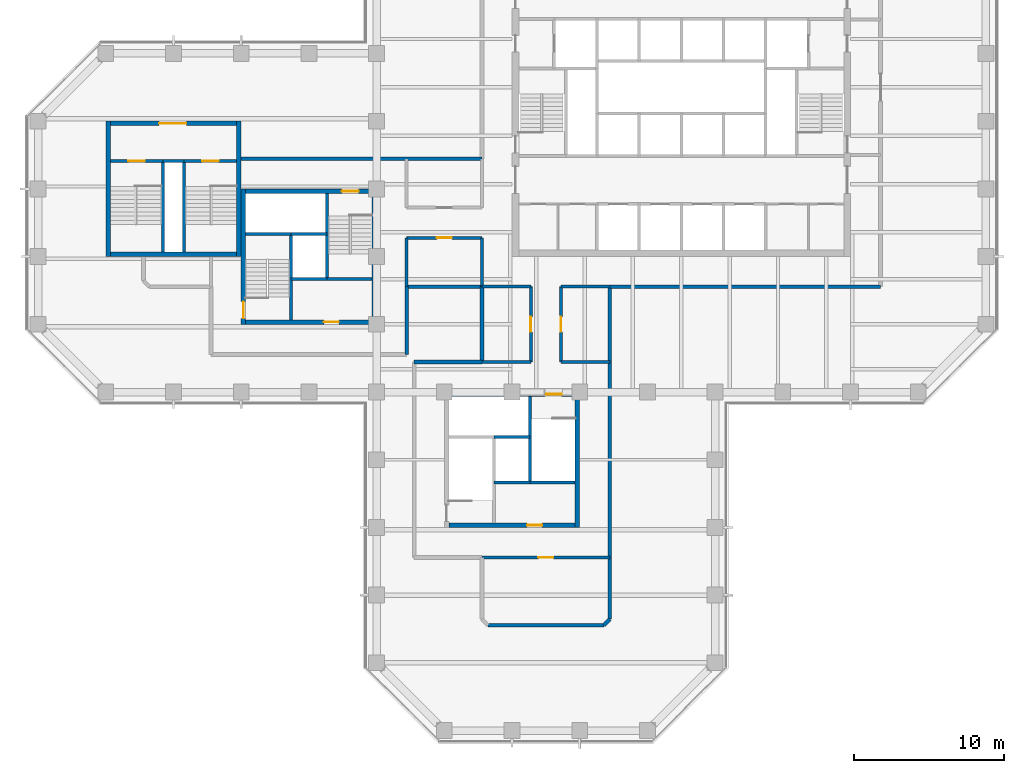
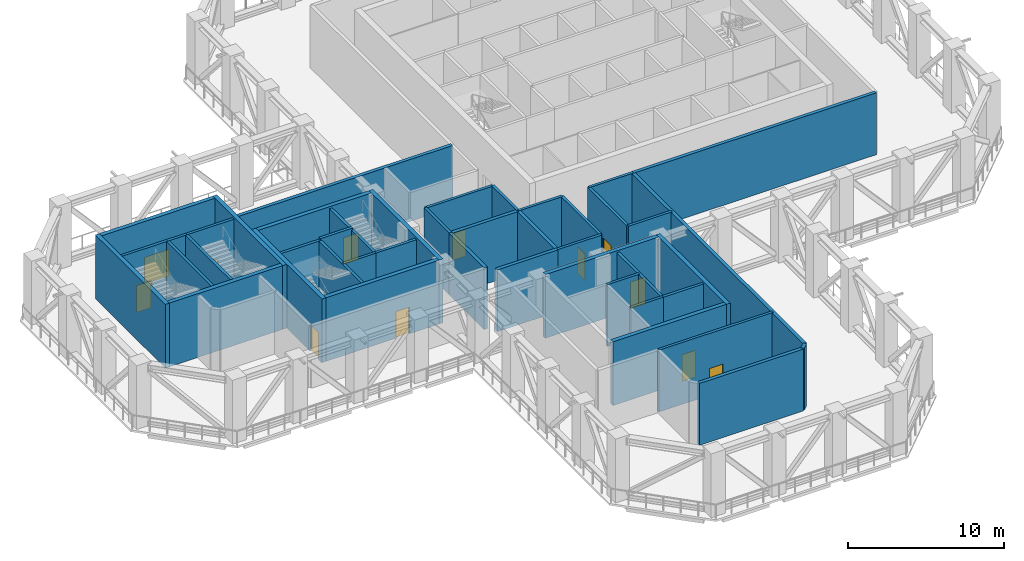
# One storey, part 5 of 14: 45 walls, 12 doors, 12 openings.
"""IFC4 building model written with IfcOpenShell, lengths in metres."""

from ifc_helpers import new_model, si_unit, direction, frame, frame_2d, origin, place, context, subcontext, project, spatial, rectangle, extrude, material, layer, layer_set, type_object, element, fill, save


model = new_model("IFC4")

# Units and contexts
model_context = context("Model", 3, precision=1e-05, world=origin(), true_north=direction((0.0, 1.0)))
body_context = subcontext(model_context, "Body", "Model", "MODEL_VIEW")
ifc_project = project(units=[si_unit("LENGTHUNIT", "METRE"), si_unit("AREAUNIT", "SQUARE_METRE"), si_unit("VOLUMEUNIT", "CUBIC_METRE"), si_unit("PLANEANGLEUNIT", "RADIAN"), si_unit("MASSUNIT", "GRAM", prefix="KILO")], contexts=[model_context])

# Site, building, storey
site_placement = place(None, origin())
site = spatial("IfcSite", under=ifc_project, at=site_placement, CompositionType="ELEMENT")
building_placement = place(site_placement, origin())
building = spatial("IfcBuilding", under=site, at=building_placement, Name="Quoin Convention Tower", CompositionType="ELEMENT")
storey_placement = place(building_placement, frame((0.0, 0.0, 138.10009765625)))
storey = spatial("IfcBuildingStorey", under=building, at=storey_placement, Name="L36", CompositionType="ELEMENT", Elevation=138.10009765625)

# Walls
ifc_material_1 = material(Name="Concrete C50", Category="concrete")
ifc_layer_1 = layer(ifc_material_1, 0.199951171875)
ifc_layer_set_1 = layer_set([ifc_layer_1], Name="Concrete C50")
wall_type_1 = type_object("IfcWallType", Name="Core shaft wall", PredefinedType="SOLIDWALL", material=ifc_layer_set_1)
wall_1_placement = place(storey_placement, frame((30.300048828125, 48.0, 0.0), z_axis=(0.0, 0.0, 1.0), x_axis=(1.0, 0.0, 0.0)))
element("IfcWall", 1, at=wall_1_placement, inside=storey, type_object=wall_type_1, Name="cr-P2-L36-h3000_3300", PredefinedType="SOLIDWALL", context=body_context, shape_type="SweptSolid", body=[
    extrude(rectangle(XDim=2.39990234375, YDim=0.199951171875, at=frame_2d((1.199951171875, 0.0))), origin(), (0.0, 0.0, 1.0), 4.849853515625),
])
for number, where, z_axis, x_axis, name in (
    (2, (32.699951171875, 48.0, 0.0), (0.0, 0.0, 1.0), (1.0, 0.0, 0.0), "cr-P2-L36-h3000_5700"),
    (3, (27.300048828125, 51.0, 0.0), (0.0, 0.0, 1.0), (1.0, 0.0, 0.0), "cr-P2-L36-h6000_300"),
):
    element("IfcWall", number, at=place(storey_placement, frame(where, z_axis=z_axis, x_axis=x_axis)), inside=storey, type_object=wall_type_1, Name=name, PredefinedType="SOLIDWALL", context=body_context, shape_type="SweptSolid", body=[
        extrude(rectangle(XDim=3.0, YDim=0.199951171875, at=frame_2d((1.5, 0.0))), origin(), (0.0, 0.0, 1.0), 4.849853515625),
    ])
for number, where, z_axis, x_axis, name in (
    (4, (30.300048828125, 45.300048828125, 0.0), (0.0, 0.0, 1.0), (0.0, 1.0, 0.0), "cr-P2-L36-v3300_300"),
    (5, (32.699951171875, 48.0, 0.0), (0.0, 0.0, 1.0), (0.0, 1.0, 0.0), "cr-P2-L36-v5700_3000"),
):
    element("IfcWall", number, at=place(storey_placement, frame(where, z_axis=z_axis, x_axis=x_axis)), inside=storey, type_object=wall_type_1, Name=name, PredefinedType="SOLIDWALL", context=body_context, shape_type="SweptSolid", body=[
        extrude(rectangle(XDim=5.699951171875, YDim=0.199951171875, at=frame_2d((2.85009765625, 0.0))), origin(), (0.0, 0.0, 1.0), 4.849853515625),
    ])
wall_2_placement = place(storey_placement, frame((43.800048828125, 34.5, 0.0), z_axis=(0.0, 0.0, 1.0), x_axis=(1.0, 0.0, 0.0)))
element("IfcWall", 6, at=wall_2_placement, inside=storey, type_object=wall_type_1, Name="cr-P3-L36-h3000_3300", PredefinedType="SOLIDWALL", context=body_context, shape_type="SweptSolid", body=[
    extrude(rectangle(XDim=2.39990234375, YDim=0.199951171875, at=frame_2d((1.199951171875, 0.0))), origin(), (0.0, 0.0, 1.0), 4.849853515625),
])
wall_3_placement = place(storey_placement, frame((46.199951171875, 34.5, 0.0), z_axis=(0.0, 0.0, 1.0), x_axis=(1.0, 0.0, 0.0)))
element("IfcWall", 7, at=wall_3_placement, inside=storey, type_object=wall_type_1, Name="cr-P3-L36-h3000_5700", PredefinedType="SOLIDWALL", context=body_context, shape_type="SweptSolid", body=[
    extrude(rectangle(XDim=3.0, YDim=0.199951171875, at=frame_2d((1.5, 0.0))), origin(), (0.0, 0.0, 1.0), 4.849853515625),
])
wall_4_placement = place(storey_placement, frame((43.800048828125, 37.5, 0.0), z_axis=(0.0, 0.0, 1.0), x_axis=(1.0, 0.0, 0.0)))
element("IfcWall", 8, at=wall_4_placement, inside=storey, type_object=wall_type_1, Name="cr-P3-L36-h6000_3300", PredefinedType="SOLIDWALL", context=body_context, shape_type="SweptSolid", body=[
    extrude(rectangle(XDim=2.39990234375, YDim=0.199951171875, at=frame_2d((1.199951171875, 0.0))), origin(), (0.0, 0.0, 1.0), 4.849853515625),
])
wall_5_placement = place(storey_placement, frame((46.199951171875, 34.5, 0.0), z_axis=(0.0, 0.0, 1.0), x_axis=(0.0, 1.0, 0.0)))
element("IfcWall", 9, at=wall_5_placement, inside=storey, type_object=wall_type_1, Name="cr-P3-L36-v5700_3000", PredefinedType="SOLIDWALL", context=body_context, shape_type="SweptSolid", body=[
    extrude(rectangle(XDim=5.699951171875, YDim=0.199951171875, at=frame_2d((2.85009765625, 0.0))), origin(), (0.0, 0.0, 1.0), 4.849853515625),
])
wall_6_placement = place(storey_placement, frame((21.800048828125, 55.85009765625, 0.0), z_axis=(0.0, 0.0, 1.0), x_axis=(1.0, 0.0, 0.0)))
element("IfcWall", 10, at=wall_6_placement, inside=storey, type_object=wall_type_1, Name="cr-P6-L36-h6350_3800", PredefinedType="SOLIDWALL", context=body_context, shape_type="SweptSolid", body=[
    extrude(rectangle(XDim=1.39990234375, YDim=0.199951171875, at=frame_2d((0.699951171875, 0.0))), origin(), (0.0, 0.0, 1.0), 4.849853515625),
])

# Wall, opening, door
wall_7_placement = place(storey_placement, frame((18.300048828125, 55.85009765625, 0.0), z_axis=(0.0, 0.0, 1.0), x_axis=(1.0, 0.0, 0.0)))
wall_7 = element("IfcWall", 11, at=wall_7_placement, inside=storey, type_object=wall_type_1, Name="cr-P6-L36-h6350_300", PredefinedType="SOLIDWALL", context=body_context, shape_type="SweptSolid", body=[
    extrude(rectangle(XDim=3.5, YDim=0.199951171875, at=frame_2d((1.75, 0.0))), origin(), (0.0, 0.0, 1.0), 4.849853515625),
])
opening_1_placement = place(wall_7_placement, frame((1.199951171875, 0.0, 0.0)))
opening_1 = element("IfcOpeningElement", 12, at=opening_1_placement, cuts=wall_7, Name="Opening SD11", PredefinedType="OPENING", context=body_context, shape_type="SweptSolid", body=[
    extrude(rectangle(XDim=1.10009765625, YDim=2.10009765625, at=frame_2d((0.550048828125, 1.050048828125))), frame((0.0, 0.10986328125, 0.0), z_axis=(0.0, -1.0, 0.0), x_axis=(1.0, 0.0, 0.0)), (0.0, 0.0, 1.0), 0.219970703125),
])
ifc_material_2 = material(Name="Steel door leaf", Category="steel")
door_type_1 = type_object("IfcDoorType", Name="Stair door 1100 x 2100", OperationType="SINGLE_SWING_RIGHT", PredefinedType="DOOR", material=ifc_material_2)
door_1_placement = place(opening_1_placement, origin())
door_1 = element("IfcDoor", 13, at=door_1_placement, inside=storey, type_object=door_type_1, Name="cd-P6-L36-SA-R2-SD11", OperationType="SINGLE_SWING_RIGHT", OverallHeight=2.10009765625, OverallWidth=1.10009765625, PredefinedType="DOOR", context=body_context, shape_type="SweptSolid", body=[
    extrude(rectangle(XDim=1.10009765625, YDim=2.10009765625, at=frame_2d((0.550048828125, 1.050048828125))), frame((0.0, 0.02490234375, 0.0), z_axis=(0.0, -1.0, 0.0), x_axis=(1.0, 0.0, 0.0)), (0.0, 0.0, 1.0), 0.050048828125),
])
fill(opening_1, door_1)

wall_8_placement = place(storey_placement, frame((23.199951171875, 55.85009765625, 0.0), z_axis=(0.0, 0.0, 1.0), x_axis=(1.0, 0.0, 0.0)))
wall_8 = element("IfcWall", 14, at=wall_8_placement, inside=storey, type_object=wall_type_1, Name="cr-P6-L36-h6350_5200", PredefinedType="SOLIDWALL", context=body_context, shape_type="SweptSolid", body=[
    extrude(rectangle(XDim=3.5, YDim=0.199951171875, at=frame_2d((1.75, 0.0))), origin(), (0.0, 0.0, 1.0), 4.849853515625),
])
opening_2_placement = place(wall_8_placement, frame((1.199951171875, 0.0, 0.0)))
opening_2 = element("IfcOpeningElement", 15, at=opening_2_placement, cuts=wall_8, Name="Opening SD12", PredefinedType="OPENING", context=body_context, shape_type="SweptSolid", body=[
    extrude(rectangle(XDim=1.10009765625, YDim=2.10009765625, at=frame_2d((0.550048828125, 1.050048828125))), frame((0.0, 0.10986328125, 0.0), z_axis=(0.0, -1.0, 0.0), x_axis=(1.0, 0.0, 0.0)), (0.0, 0.0, 1.0), 0.219970703125),
])
door_2_placement = place(opening_2_placement, origin())
door_2 = element("IfcDoor", 16, at=door_2_placement, inside=storey, type_object=door_type_1, Name="cd-P6-L36-SB-R2-SD12", OperationType="SINGLE_SWING_RIGHT", OverallHeight=2.10009765625, OverallWidth=1.10009765625, PredefinedType="DOOR", context=body_context, shape_type="SweptSolid", body=[
    extrude(rectangle(XDim=1.10009765625, YDim=2.10009765625, at=frame_2d((0.550048828125, 1.050048828125))), frame((0.0, 0.02490234375, 0.0), z_axis=(0.0, -1.0, 0.0), x_axis=(1.0, 0.0, 0.0)), (0.0, 0.0, 1.0), 0.050048828125),
])
fill(opening_2, door_2)

# Walls
for number, where, z_axis, x_axis, name in (
    (17, (21.800048828125, 49.800048828125, 0.0), (0.0, 0.0, 1.0), (0.0, 1.0, 0.0), "cr-P6-L36-v3800_300"),
    (18, (23.199951171875, 49.800048828125, 0.0), (0.0, 0.0, 1.0), (0.0, 1.0, 0.0), "cr-P6-L36-v5200_300"),
):
    element("IfcWall", number, at=place(storey_placement, frame(where, z_axis=z_axis, x_axis=x_axis)), inside=storey, type_object=wall_type_1, Name=name, PredefinedType="SOLIDWALL", context=body_context, shape_type="SweptSolid", body=[
        extrude(rectangle(XDim=6.050048828125, YDim=0.199951171875, at=frame_2d((3.02490234375, 0.0))), origin(), (0.0, 0.0, 1.0), 4.849853515625),
    ])
ifc_layer_2 = layer(ifc_material_1, 0.199951171875)
ifc_layer_set_2 = layer_set([ifc_layer_2], Name="Concrete C50")
wall_type_2 = type_object("IfcWallType", Name="Core shaft wall to the floor level over", PredefinedType="SOLIDWALL", material=ifc_layer_set_2)
wall_9_placement = place(storey_placement, frame((30.300048828125, 51.0, 0.0), z_axis=(0.0, 0.0, 1.0), x_axis=(1.0, 0.0, 0.0)))
element("IfcWall", 19, at=wall_9_placement, inside=storey, type_object=wall_type_2, Name="cr-P2-L36-h6000_3300", PredefinedType="SOLIDWALL", context=body_context, shape_type="SweptSolid", body=[
    extrude(rectangle(XDim=2.39990234375, YDim=0.199951171875, at=frame_2d((1.199951171875, 0.0))), origin(), (0.0, 0.0, 1.0), 5.0),
])

# Wall, opening, door
ifc_material_3 = material(Name="Concrete C65", Category="concrete")
ifc_layer_3 = layer(ifc_material_3, 0.300048828125)
ifc_layer_set_3 = layer_set([ifc_layer_3], Name="Concrete C65")
wall_type_3 = type_object("IfcWallType", Name="RC CORE WALL 300 C65", PredefinedType="SHEAR", material=ifc_layer_set_3)
wall_10_placement = place(storey_placement, frame((27.300048828125, 45.14990234375, 0.0), z_axis=(0.0, 0.0, 1.0), x_axis=(1.0, 0.0, 0.0)))
wall_10 = element("IfcWall", 20, at=wall_10_placement, inside=storey, type_object=wall_type_3, Name="cwl-P2-L36-S", PredefinedType="SHEAR", context=body_context, shape_type="SweptSolid", body=[
    extrude(rectangle(XDim=8.39990234375, YDim=0.300048828125, at=frame_2d((4.199951171875, 0.0))), origin(), (0.0, 0.0, 1.0), 5.0),
])
opening_3_placement = place(wall_10_placement, frame((5.199951171875, 0.0, 0.0)))
opening_3 = element("IfcOpeningElement", 21, at=opening_3_placement, cuts=wall_10, Name="Opening DCV0-60", PredefinedType="OPENING", context=body_context, shape_type="SweptSolid", body=[
    extrude(rectangle(XDim=1.0, YDim=2.10009765625, at=frame_2d((0.5, 1.050048828125))), frame((0.0, 0.159912109375, 0.0), z_axis=(0.0, -1.0, 0.0), x_axis=(1.0, 0.0, 0.0)), (0.0, 0.0, 1.0), 0.320068359375),
])
door_type_2 = type_object("IfcDoorType", Name="Service door 1000 x 2100", OperationType="SINGLE_SWING_LEFT", PredefinedType="DOOR", material=ifc_material_2)
door_3_placement = place(opening_3_placement, origin())
door_3 = element("IfcDoor", 22, at=door_3_placement, inside=storey, type_object=door_type_2, Name="cd-P2-L36-R2-S", OperationType="SINGLE_SWING_LEFT", OverallHeight=2.10009765625, OverallWidth=1.0, PredefinedType="DOOR", context=body_context, shape_type="SweptSolid", body=[
    extrude(rectangle(XDim=1.0, YDim=2.10009765625, at=frame_2d((0.5, 1.050048828125))), frame((0.0, 0.02490234375, 0.0), z_axis=(0.0, -1.0, 0.0), x_axis=(1.0, 0.0, 0.0)), (0.0, 0.0, 1.0), 0.050048828125),
])
fill(opening_3, door_3)

wall_11_placement = place(storey_placement, frame((27.300048828125, 53.85009765625, 0.0), z_axis=(0.0, 0.0, 1.0), x_axis=(1.0, 0.0, 0.0)))
wall_11 = element("IfcWall", 23, at=wall_11_placement, inside=storey, type_object=wall_type_3, Name="cwl-P2-L36-N", PredefinedType="SHEAR", context=body_context, shape_type="SweptSolid", body=[
    extrude(rectangle(XDim=8.39990234375, YDim=0.300048828125, at=frame_2d((4.199951171875, 0.0))), origin(), (0.0, 0.0, 1.0), 5.0),
])
opening_4_placement = place(wall_11_placement, frame((6.39990234375, 0.0, 0.0)))
opening_4 = element("IfcOpeningElement", 24, at=opening_4_placement, cuts=wall_11, Name="Opening SD4", PredefinedType="OPENING", context=body_context, shape_type="SweptSolid", body=[
    extrude(rectangle(XDim=1.10009765625, YDim=2.10009765625, at=frame_2d((0.550048828125, 1.050048828125))), frame((0.0, 0.159912109375, 0.0), z_axis=(0.0, -1.0, 0.0), x_axis=(1.0, 0.0, 0.0)), (0.0, 0.0, 1.0), 0.320068359375),
])
door_4_placement = place(opening_4_placement, frame((1.10009765625, 0.0, 0.0), z_axis=(0.0, 0.0, 1.0), x_axis=(-1.0, 0.0, 0.0)))
door_4 = element("IfcDoor", 25, at=door_4_placement, inside=storey, type_object=door_type_1, Name="cd-P2-L36-SB-N", OperationType="SINGLE_SWING_LEFT", OverallHeight=2.10009765625, OverallWidth=1.10009765625, PredefinedType="DOOR", context=body_context, shape_type="SweptSolid", body=[
    extrude(rectangle(XDim=1.10009765625, YDim=2.10009765625, at=frame_2d((0.550048828125, 1.050048828125))), frame((0.0, 0.02490234375, 0.0), z_axis=(0.0, -1.0, 0.0), x_axis=(1.0, 0.0, 0.0)), (0.0, 0.0, 1.0), 0.050048828125),
])
fill(opening_4, door_4)

wall_12_placement = place(storey_placement, frame((27.14990234375, 45.0, 0.0), z_axis=(0.0, 0.0, 1.0), x_axis=(0.0, 1.0, 0.0)))
wall_12 = element("IfcWall", 26, at=wall_12_placement, inside=storey, type_object=wall_type_3, Name="cwl-P2-L36-W", PredefinedType="SHEAR", context=body_context, shape_type="SweptSolid", body=[
    extrude(rectangle(XDim=9.0, YDim=0.300048828125, at=frame_2d((4.5, 0.0))), origin(), (0.0, 0.0, 1.0), 5.0),
])
opening_5_placement = place(wall_12_placement, frame((0.39990234375, 0.0, 0.0)))
opening_5 = element("IfcOpeningElement", 27, at=opening_5_placement, cuts=wall_12, Name="Opening SD3", PredefinedType="OPENING", context=body_context, shape_type="SweptSolid", body=[
    extrude(rectangle(XDim=1.10009765625, YDim=2.10009765625, at=frame_2d((0.550048828125, 1.050048828125))), frame((0.0, 0.159912109375, 0.0), z_axis=(0.0, -1.0, 0.0), x_axis=(1.0, 0.0, 0.0)), (0.0, 0.0, 1.0), 0.320068359375),
])
door_5_placement = place(opening_5_placement, frame((1.10009765625, 0.0, 0.0), z_axis=(0.0, 0.0, 1.0), x_axis=(-1.0, 0.0, 0.0)))
door_5 = element("IfcDoor", 28, at=door_5_placement, inside=storey, type_object=door_type_1, Name="cd-P2-L36-SA-W", OperationType="SINGLE_SWING_RIGHT", OverallHeight=2.10009765625, OverallWidth=1.10009765625, PredefinedType="DOOR", context=body_context, shape_type="SweptSolid", body=[
    extrude(rectangle(XDim=1.10009765625, YDim=2.10009765625, at=frame_2d((0.550048828125, 1.050048828125))), frame((0.0, 0.02490234375, 0.0), z_axis=(0.0, -1.0, 0.0), x_axis=(1.0, 0.0, 0.0)), (0.0, 0.0, 1.0), 0.050048828125),
])
fill(opening_5, door_5)

# Wall
wall_13_placement = place(storey_placement, frame((35.85009765625, 45.0, 0.0), z_axis=(0.0, 0.0, 1.0), x_axis=(0.0, 1.0, 0.0)))
element("IfcWall", 29, at=wall_13_placement, inside=storey, type_object=wall_type_3, Name="cwl-P2-L36-E", PredefinedType="SHEAR", context=body_context, shape_type="SweptSolid", body=[
    extrude(rectangle(XDim=9.0, YDim=0.300048828125, at=frame_2d((4.5, 0.0))), origin(), (0.0, 0.0, 1.0), 5.0),
])

# Wall, opening, door
wall_14_placement = place(storey_placement, frame((40.800048828125, 31.64990234375, 0.0), z_axis=(0.0, 0.0, 1.0), x_axis=(1.0, 0.0, 0.0)))
wall_14 = element("IfcWall", 30, at=wall_14_placement, inside=storey, type_object=wall_type_3, Name="cwl-P3-L36-S", PredefinedType="SHEAR", context=body_context, shape_type="SweptSolid", body=[
    extrude(rectangle(XDim=8.39990234375, YDim=0.300048828125, at=frame_2d((4.199951171875, 0.0))), origin(), (0.0, 0.0, 1.0), 5.0),
])
opening_6_placement = place(wall_14_placement, frame((5.199951171875, 0.0, 0.0)))
opening_6 = element("IfcOpeningElement", 31, at=opening_6_placement, cuts=wall_14, Name="Opening DCV0-61", PredefinedType="OPENING", context=body_context, shape_type="SweptSolid", body=[
    extrude(rectangle(XDim=1.0, YDim=2.10009765625, at=frame_2d((0.5, 1.050048828125))), frame((0.0, 0.159912109375, 0.0), z_axis=(0.0, -1.0, 0.0), x_axis=(1.0, 0.0, 0.0)), (0.0, 0.0, 1.0), 0.320068359375),
])
door_6_placement = place(opening_6_placement, origin())
door_6 = element("IfcDoor", 32, at=door_6_placement, inside=storey, type_object=door_type_2, Name="cd-P3-L36-R2-S", OperationType="SINGLE_SWING_LEFT", OverallHeight=2.10009765625, OverallWidth=1.0, PredefinedType="DOOR", context=body_context, shape_type="SweptSolid", body=[
    extrude(rectangle(XDim=1.0, YDim=2.10009765625, at=frame_2d((0.5, 1.050048828125))), frame((0.0, 0.02490234375, 0.0), z_axis=(0.0, -1.0, 0.0), x_axis=(1.0, 0.0, 0.0)), (0.0, 0.0, 1.0), 0.050048828125),
])
fill(opening_6, door_6)

wall_15_placement = place(storey_placement, frame((40.800048828125, 40.35009765625, 0.0), z_axis=(0.0, 0.0, 1.0), x_axis=(1.0, 0.0, 0.0)))
wall_15 = element("IfcWall", 33, at=wall_15_placement, inside=storey, type_object=wall_type_3, Name="cwl-P3-L36-N", PredefinedType="SHEAR", context=body_context, shape_type="SweptSolid", body=[
    extrude(rectangle(XDim=8.39990234375, YDim=0.300048828125, at=frame_2d((4.199951171875, 0.0))), origin(), (0.0, 0.0, 1.0), 5.0),
])
opening_7_placement = place(wall_15_placement, frame((6.39990234375, 0.0, 0.0)))
opening_7 = element("IfcOpeningElement", 34, at=opening_7_placement, cuts=wall_15, Name="Opening SD6", PredefinedType="OPENING", context=body_context, shape_type="SweptSolid", body=[
    extrude(rectangle(XDim=1.10009765625, YDim=2.10009765625, at=frame_2d((0.550048828125, 1.050048828125))), frame((0.0, 0.159912109375, 0.0), z_axis=(0.0, -1.0, 0.0), x_axis=(1.0, 0.0, 0.0)), (0.0, 0.0, 1.0), 0.320068359375),
])
door_7_placement = place(opening_7_placement, frame((1.10009765625, 0.0, 0.0), z_axis=(0.0, 0.0, 1.0), x_axis=(-1.0, 0.0, 0.0)))
door_7 = element("IfcDoor", 35, at=door_7_placement, inside=storey, type_object=door_type_1, Name="cd-P3-L36-SB-N", OperationType="SINGLE_SWING_LEFT", OverallHeight=2.10009765625, OverallWidth=1.10009765625, PredefinedType="DOOR", context=body_context, shape_type="SweptSolid", body=[
    extrude(rectangle(XDim=1.10009765625, YDim=2.10009765625, at=frame_2d((0.550048828125, 1.050048828125))), frame((0.0, 0.02490234375, 0.0), z_axis=(0.0, -1.0, 0.0), x_axis=(1.0, 0.0, 0.0)), (0.0, 0.0, 1.0), 0.050048828125),
])
fill(opening_7, door_7)

# Walls
wall_16_placement = place(storey_placement, frame((49.35009765625, 31.5, 0.0), z_axis=(0.0, 0.0, 1.0), x_axis=(0.0, 1.0, 0.0)))
element("IfcWall", 36, at=wall_16_placement, inside=storey, type_object=wall_type_3, Name="cwl-P3-L36-E", PredefinedType="SHEAR", context=body_context, shape_type="SweptSolid", body=[
    extrude(rectangle(XDim=9.0, YDim=0.300048828125, at=frame_2d((4.5, 0.0))), origin(), (0.0, 0.0, 1.0), 5.0),
])
wall_17_placement = place(storey_placement, frame((18.300048828125, 49.64990234375, 0.0), z_axis=(0.0, 0.0, 1.0), x_axis=(1.0, 0.0, 0.0)))
element("IfcWall", 37, at=wall_17_placement, inside=storey, type_object=wall_type_3, Name="cwl-P6-L36-S", PredefinedType="SHEAR", context=body_context, shape_type="SweptSolid", body=[
    extrude(rectangle(XDim=8.39990234375, YDim=0.300048828125, at=frame_2d((4.199951171875, 0.0))), origin(), (0.0, 0.0, 1.0), 5.0),
])

# Wall, opening, door
wall_18_placement = place(storey_placement, frame((18.300048828125, 58.35009765625, 0.0), z_axis=(0.0, 0.0, 1.0), x_axis=(1.0, 0.0, 0.0)))
wall_18 = element("IfcWall", 38, at=wall_18_placement, inside=storey, type_object=wall_type_3, Name="cwl-P6-L36-N", PredefinedType="SHEAR", context=body_context, shape_type="SweptSolid", body=[
    extrude(rectangle(XDim=8.39990234375, YDim=0.300048828125, at=frame_2d((4.199951171875, 0.0))), origin(), (0.0, 0.0, 1.0), 5.0),
])
opening_8_placement = place(wall_18_placement, frame((3.25, 0.0, 0.0)))
opening_8 = element("IfcOpeningElement", 39, at=opening_8_placement, cuts=wall_18, Name="Opening DCV0-65", PredefinedType="OPENING", context=body_context, shape_type="SweptSolid", body=[
    extrude(rectangle(XDim=1.800048828125, YDim=2.10009765625, at=frame_2d((0.89990234375, 1.050048828125))), frame((0.0, 0.159912109375, 0.0), z_axis=(0.0, -1.0, 0.0), x_axis=(1.0, 0.0, 0.0)), (0.0, 0.0, 1.0), 0.320068359375),
])
door_type_3 = type_object("IfcDoorType", Name="Goods lobby door 1800 x 2100", OperationType="SINGLE_SWING_LEFT", PredefinedType="DOOR", material=ifc_material_2)
door_8_placement = place(opening_8_placement, frame((1.800048828125, 0.0, 0.0), z_axis=(0.0, 0.0, 1.0), x_axis=(-1.0, 0.0, 0.0)))
door_8 = element("IfcDoor", 40, at=door_8_placement, inside=storey, type_object=door_type_3, Name="cd-P6-L36-R2-N", OperationType="SINGLE_SWING_RIGHT", OverallHeight=2.10009765625, OverallWidth=1.800048828125, PredefinedType="DOOR", context=body_context, shape_type="SweptSolid", body=[
    extrude(rectangle(XDim=1.800048828125, YDim=2.10009765625, at=frame_2d((0.89990234375, 1.050048828125))), frame((0.0, 0.02490234375, 0.0), z_axis=(0.0, -1.0, 0.0), x_axis=(1.0, 0.0, 0.0)), (0.0, 0.0, 1.0), 0.050048828125),
])
fill(opening_8, door_8)

# Walls
for number, where, z_axis, x_axis, name in (
    (41, (18.14990234375, 49.5, 0.0), (0.0, 0.0, 1.0), (0.0, 1.0, 0.0), "cwl-P6-L36-W"),
    (42, (26.85009765625, 49.5, 0.0), (0.0, 0.0, 1.0), (0.0, 1.0, 0.0), "cwl-P6-L36-E"),
):
    element("IfcWall", number, at=place(storey_placement, frame(where, z_axis=z_axis, x_axis=x_axis)), inside=storey, type_object=wall_type_3, Name=name, PredefinedType="SHEAR", context=body_context, shape_type="SweptSolid", body=[
        extrude(rectangle(XDim=9.0, YDim=0.300048828125, at=frame_2d((4.5, 0.0))), origin(), (0.0, 0.0, 1.0), 5.0),
    ])

# Wall, opening, door
ifc_material_4 = material(Name="Plasterboard")
ifc_layer_4 = layer(ifc_material_4, 0.012451171875, Name="Finish")
ifc_material_5 = material(Name="Steel stud framing", Category="steel")
ifc_layer_5 = layer(ifc_material_5, 0.175048828125, Name="Structure")
ifc_layer_6 = layer(ifc_material_4, 0.012451171875, Name="Finish")
ifc_layer_set_4 = layer_set([ifc_layer_4, ifc_layer_5, ifc_layer_6], Name="Steel stud framing")
wall_type_4 = type_object("IfcWallType", Name="plant room wall", PredefinedType="PARTITIONING", material=ifc_layer_set_4)
wall_19_placement = place(storey_placement, frame((43.0, 29.5, 0.0), z_axis=(0.0, 0.0, 1.0), x_axis=(1.0, 0.0, 0.0)))
wall_19 = element("IfcWall", 43, at=wall_19_placement, inside=storey, type_object=wall_type_4, Name="pw-L36-023", PredefinedType="PARTITIONING", context=body_context, shape_type="SweptSolid", body=[
    extrude(rectangle(XDim=8.5, YDim=0.199951171875, at=frame_2d((4.25, 0.0))), origin(), (0.0, 0.0, 1.0), 4.849853515625),
])
opening_9_placement = place(wall_19_placement, frame((3.75, 0.0, 0.0)))
opening_9 = element("IfcOpeningElement", 44, at=opening_9_placement, cuts=wall_19, Name="Opening DREFUGE-R2-03", PredefinedType="OPENING", context=body_context, shape_type="SweptSolid", body=[
    extrude(rectangle(XDim=1.0, YDim=2.10009765625, at=frame_2d((0.5, 1.050048828125))), frame((0.0, 0.10986328125, 0.0), z_axis=(0.0, -1.0, 0.0), x_axis=(1.0, 0.0, 0.0)), (0.0, 0.0, 1.0), 0.219970703125),
])
door_type_4 = type_object("IfcDoorType", Name="Plant room door", OperationType="SINGLE_SWING_LEFT", PredefinedType="DOOR", material=ifc_material_2)
door_9_placement = place(opening_9_placement, frame((1.0, 0.0, 0.0), z_axis=(0.0, 0.0, 1.0), x_axis=(-1.0, 0.0, 0.0)))
door_9 = element("IfcDoor", 45, at=door_9_placement, inside=storey, type_object=door_type_4, Name="dr-L36-003", OperationType="SINGLE_SWING_LEFT", OverallHeight=2.10009765625, OverallWidth=1.0, PredefinedType="DOOR", context=body_context, shape_type="SweptSolid", body=[
    extrude(rectangle(XDim=1.0, YDim=2.10009765625, at=frame_2d((0.5, 1.050048828125))), frame((0.0, 0.02490234375, 0.0), z_axis=(0.0, -1.0, 0.0), x_axis=(1.0, 0.0, 0.0)), (0.0, 0.0, 1.0), 0.050048828125),
])
fill(opening_9, door_9)

# Wall
wall_20_placement = place(storey_placement, frame((43.0, 42.5, 0.0), z_axis=(0.0, 0.0, 1.0), x_axis=(1.0, 0.0, 0.0)))
element("IfcWall", 46, at=wall_20_placement, inside=storey, type_object=wall_type_4, Name="pw-L36-024", PredefinedType="PARTITIONING", context=body_context, shape_type="SweptSolid", body=[
    extrude(rectangle(XDim=3.25, YDim=0.199951171875, at=frame_2d((1.625, 0.0))), origin(), (0.0, 0.0, 1.0), 4.849853515625),
])

# Wall, opening, door
wall_21_placement = place(storey_placement, frame((46.25, 42.5, 0.0), z_axis=(0.0, 0.0, 1.0), x_axis=(0.0, 1.0, 0.0)))
wall_21 = element("IfcWall", 47, at=wall_21_placement, inside=storey, type_object=wall_type_4, Name="pw-L36-025", PredefinedType="PARTITIONING", context=body_context, shape_type="SweptSolid", body=[
    extrude(rectangle(XDim=5.0, YDim=0.199951171875, at=frame_2d((2.5, 0.0))), origin(), (0.0, 0.0, 1.0), 4.849853515625),
])
opening_10_placement = place(wall_21_placement, frame((2.0, 0.0, 0.0)))
opening_10 = element("IfcOpeningElement", 48, at=opening_10_placement, cuts=wall_21, Name="Opening DREFUGE-R2-04", PredefinedType="OPENING", context=body_context, shape_type="SweptSolid", body=[
    extrude(rectangle(XDim=1.0, YDim=2.10009765625, at=frame_2d((0.5, 1.050048828125))), frame((0.0, 0.10986328125, 0.0), z_axis=(0.0, -1.0, 0.0), x_axis=(1.0, 0.0, 0.0)), (0.0, 0.0, 1.0), 0.219970703125),
])
door_10_placement = place(opening_10_placement, origin())
door_10 = element("IfcDoor", 49, at=door_10_placement, inside=storey, type_object=door_type_4, Name="dr-L36-004", OperationType="SINGLE_SWING_RIGHT", OverallHeight=2.10009765625, OverallWidth=1.0, PredefinedType="DOOR", context=body_context, shape_type="SweptSolid", body=[
    extrude(rectangle(XDim=1.0, YDim=2.10009765625, at=frame_2d((0.5, 1.050048828125))), frame((0.0, 0.02490234375, 0.0), z_axis=(0.0, -1.0, 0.0), x_axis=(1.0, 0.0, 0.0)), (0.0, 0.0, 1.0), 0.050048828125),
])
fill(opening_10, door_10)

# Wall
wall_22_placement = place(storey_placement, frame((48.25, 42.5, 0.0), z_axis=(0.0, 0.0, 1.0), x_axis=(1.0, 0.0, 0.0)))
element("IfcWall", 50, at=wall_22_placement, inside=storey, type_object=wall_type_4, Name="pw-L36-026", PredefinedType="PARTITIONING", context=body_context, shape_type="SweptSolid", body=[
    extrude(rectangle(XDim=3.25, YDim=0.199951171875, at=frame_2d((1.625, 0.0))), origin(), (0.0, 0.0, 1.0), 4.849853515625),
])

# Wall, opening, door
wall_23_placement = place(storey_placement, frame((48.25, 42.5, 0.0), z_axis=(0.0, 0.0, 1.0), x_axis=(0.0, 1.0, 0.0)))
wall_23 = element("IfcWall", 51, at=wall_23_placement, inside=storey, type_object=wall_type_4, Name="pw-L36-027", PredefinedType="PARTITIONING", context=body_context, shape_type="SweptSolid", body=[
    extrude(rectangle(XDim=5.0, YDim=0.199951171875, at=frame_2d((2.5, 0.0))), origin(), (0.0, 0.0, 1.0), 4.849853515625),
])
opening_11_placement = place(wall_23_placement, frame((2.0, 0.0, 0.0)))
opening_11 = element("IfcOpeningElement", 52, at=opening_11_placement, cuts=wall_23, Name="Opening DREFUGE-R2-05", PredefinedType="OPENING", context=body_context, shape_type="SweptSolid", body=[
    extrude(rectangle(XDim=1.0, YDim=2.10009765625, at=frame_2d((0.5, 1.050048828125))), frame((0.0, 0.10986328125, 0.0), z_axis=(0.0, -1.0, 0.0), x_axis=(1.0, 0.0, 0.0)), (0.0, 0.0, 1.0), 0.219970703125),
])
door_11_placement = place(opening_11_placement, frame((1.0, 0.0, 0.0), z_axis=(0.0, 0.0, 1.0), x_axis=(-1.0, 0.0, 0.0)))
door_11 = element("IfcDoor", 53, at=door_11_placement, inside=storey, type_object=door_type_4, Name="dr-L36-005", OperationType="SINGLE_SWING_LEFT", OverallHeight=2.10009765625, OverallWidth=1.0, PredefinedType="DOOR", context=body_context, shape_type="SweptSolid", body=[
    extrude(rectangle(XDim=1.0, YDim=2.10009765625, at=frame_2d((0.5, 1.050048828125))), frame((0.0, 0.02490234375, 0.0), z_axis=(0.0, -1.0, 0.0), x_axis=(1.0, 0.0, 0.0)), (0.0, 0.0, 1.0), 0.050048828125),
])
fill(opening_11, door_11)

# Walls
for number, where, z_axis, x_axis, name in (
    (54, (38.0, 47.5, 0.0), (0.0, 0.0, 1.0), (0.0, 1.0, 0.0), "pw-L36-029"),
    (55, (43.0, 47.5, 0.0), (0.0, 0.0, 1.0), (1.0, 0.0, 0.0), "pw-L36-030"),
    (56, (43.0, 47.5, 0.0), (0.0, 0.0, 1.0), (0.0, 1.0, 0.0), "pw-L36-031"),
    (57, (48.25, 47.5, 0.0), (0.0, 0.0, 1.0), (1.0, 0.0, 0.0), "pw-L36-032"),
):
    element("IfcWall", number, at=place(storey_placement, frame(where, z_axis=z_axis, x_axis=x_axis)), inside=storey, type_object=wall_type_4, Name=name, PredefinedType="PARTITIONING", context=body_context, shape_type="SweptSolid", body=[
        extrude(rectangle(XDim=3.25, YDim=0.199951171875, at=frame_2d((1.625, 0.0))), origin(), (0.0, 0.0, 1.0), 4.849853515625),
    ])

# Wall, opening, door
wall_24_placement = place(storey_placement, frame((38.0, 50.75, 0.0), z_axis=(0.0, 0.0, 1.0), x_axis=(1.0, 0.0, 0.0)))
wall_24 = element("IfcWall", 58, at=wall_24_placement, inside=storey, type_object=wall_type_4, Name="pw-L36-033", PredefinedType="PARTITIONING", context=body_context, shape_type="SweptSolid", body=[
    extrude(rectangle(XDim=5.0, YDim=0.199951171875, at=frame_2d((2.5, 0.0))), origin(), (0.0, 0.0, 1.0), 4.849853515625),
])
opening_12_placement = place(wall_24_placement, frame((2.0, 0.0, 0.0)))
opening_12 = element("IfcOpeningElement", 59, at=opening_12_placement, cuts=wall_24, Name="Opening DREFUGE-R2-06", PredefinedType="OPENING", context=body_context, shape_type="SweptSolid", body=[
    extrude(rectangle(XDim=1.0, YDim=2.10009765625, at=frame_2d((0.5, 1.050048828125))), frame((0.0, 0.10986328125, 0.0), z_axis=(0.0, -1.0, 0.0), x_axis=(1.0, 0.0, 0.0)), (0.0, 0.0, 1.0), 0.219970703125),
])
door_12_placement = place(opening_12_placement, frame((1.0, 0.0, 0.0), z_axis=(0.0, 0.0, 1.0), x_axis=(-1.0, 0.0, 0.0)))
door_12 = element("IfcDoor", 60, at=door_12_placement, inside=storey, type_object=door_type_4, Name="dr-L36-006", OperationType="SINGLE_SWING_LEFT", OverallHeight=2.10009765625, OverallWidth=1.0, PredefinedType="DOOR", context=body_context, shape_type="SweptSolid", body=[
    extrude(rectangle(XDim=1.0, YDim=2.10009765625, at=frame_2d((0.5, 1.050048828125))), frame((0.0, 0.02490234375, 0.0), z_axis=(0.0, -1.0, 0.0), x_axis=(1.0, 0.0, 0.0)), (0.0, 0.0, 1.0), 0.050048828125),
])
fill(opening_12, door_12)

# Walls
ifc_layer_7 = layer(ifc_material_4, 0.012451171875, Name="Finish")
ifc_layer_8 = layer(ifc_material_5, 0.22509765625, Name="Structure")
ifc_layer_9 = layer(ifc_material_4, 0.012451171875, Name="Finish")
ifc_layer_set_5 = layer_set([ifc_layer_7, ifc_layer_8, ifc_layer_9], Name="Steel stud framing")
wall_type_5 = type_object("IfcWallType", Name="refuge enclosure wall", PredefinedType="PARTITIONING", material=ifc_layer_set_5)
wall_25_placement = place(storey_placement, frame((43.39892578125, 25.0, 0.0), z_axis=(0.0, 0.0, 1.0), x_axis=(1.0, 0.0, 0.0)))
element("IfcWall", 61, at=wall_25_placement, inside=storey, type_object=wall_type_5, Name="pw-L36-001", PredefinedType="PARTITIONING", context=body_context, shape_type="SweptSolid", body=[
    extrude(rectangle(XDim=7.7021484375, YDim=0.25, at=frame_2d((3.85107421875, 0.0))), origin(), (0.0, 0.0, 1.0), 4.849853515625),
])
wall_26_placement = place(storey_placement, frame((51.10107421875, 25.0, 0.0), z_axis=(0.0, 0.0, 1.0), x_axis=(0.707106781187, 0.707106781187, 0.0)))
element("IfcWall", 62, at=wall_26_placement, inside=storey, type_object=wall_type_5, Name="pw-L36-002", PredefinedType="PARTITIONING", context=body_context, shape_type="SweptSolid", body=[
    extrude(rectangle(XDim=0.564208984375, YDim=0.25, at=frame_2d((0.2822265625, 0.0))), origin(), (0.0, 0.0, 1.0), 4.849853515625),
])
wall_27_placement = place(storey_placement, frame((51.5, 25.39892578125, 0.0), z_axis=(0.0, 0.0, 1.0), x_axis=(0.0, 1.0, 0.0)))
element("IfcWall", 63, at=wall_27_placement, inside=storey, type_object=wall_type_5, Name="pw-L36-005", PredefinedType="PARTITIONING", context=body_context, shape_type="SweptSolid", body=[
    extrude(rectangle(XDim=22.10107421875, YDim=0.25, at=frame_2d((11.050537109375, 0.0))), origin(), (0.0, 0.0, 1.0), 4.849853515625),
])
wall_28_placement = place(storey_placement, frame((38.5, 42.5, 0.0), z_axis=(0.0, 0.0, 1.0), x_axis=(1.0, 0.0, 0.0)))
element("IfcWall", 64, at=wall_28_placement, inside=storey, type_object=wall_type_5, Name="pw-L36-008", PredefinedType="PARTITIONING", context=body_context, shape_type="SweptSolid", body=[
    extrude(rectangle(XDim=4.5, YDim=0.25, at=frame_2d((2.25, 0.0))), origin(), (0.0, 0.0, 1.0), 4.849853515625),
])
wall_29_placement = place(storey_placement, frame((43.0, 42.5, 0.0), z_axis=(0.0, 0.0, 1.0), x_axis=(0.0, 1.0, 0.0)))
element("IfcWall", 65, at=wall_29_placement, inside=storey, type_object=wall_type_5, Name="pw-L36-009", PredefinedType="PARTITIONING", context=body_context, shape_type="SweptSolid", body=[
    extrude(rectangle(XDim=5.0, YDim=0.25, at=frame_2d((2.5, 0.0))), origin(), (0.0, 0.0, 1.0), 4.849853515625),
])
wall_30_placement = place(storey_placement, frame((38.0, 43.0, 0.0), z_axis=(0.0, 0.0, 1.0), x_axis=(0.0, 1.0, 0.0)))
element("IfcWall", 66, at=wall_30_placement, inside=storey, type_object=wall_type_5, Name="pw-L36-012", PredefinedType="PARTITIONING", context=body_context, shape_type="SweptSolid", body=[
    extrude(rectangle(XDim=4.5, YDim=0.25, at=frame_2d((2.25, 0.0))), origin(), (0.0, 0.0, 1.0), 4.849853515625),
])
wall_31_placement = place(storey_placement, frame((38.0, 47.5, 0.0), z_axis=(0.0, 0.0, 1.0), x_axis=(1.0, 0.0, 0.0)))
element("IfcWall", 67, at=wall_31_placement, inside=storey, type_object=wall_type_5, Name="pw-L36-014", PredefinedType="PARTITIONING", context=body_context, shape_type="SweptSolid", body=[
    extrude(rectangle(XDim=5.0, YDim=0.25, at=frame_2d((2.5, 0.0))), origin(), (0.0, 0.0, 1.0), 4.849853515625),
])
wall_32_placement = place(storey_placement, frame((51.5, 47.5, 0.0), z_axis=(0.0, 0.0, 1.0), x_axis=(1.0, 0.0, 0.0)))
element("IfcWall", 68, at=wall_32_placement, inside=storey, type_object=wall_type_5, Name="pw-L36-015", PredefinedType="PARTITIONING", context=body_context, shape_type="SweptSolid", body=[
    extrude(rectangle(XDim=18.0, YDim=0.25, at=frame_2d((9.0, 0.0))), origin(), (0.0, 0.0, 1.0), 4.849853515625),
])
wall_33_placement = place(storey_placement, frame((27.0, 56.0, 0.0), z_axis=(0.0, 0.0, 1.0), x_axis=(1.0, 0.0, 0.0)))
element("IfcWall", 69, at=wall_33_placement, inside=storey, type_object=wall_type_5, Name="pw-L36-020", PredefinedType="PARTITIONING", context=body_context, shape_type="SweptSolid", body=[
    extrude(rectangle(XDim=16.0, YDim=0.25, at=frame_2d((8.0, 0.0))), origin(), (0.0, 0.0, 1.0), 4.849853515625),
])

save(model, "model.ifc")
